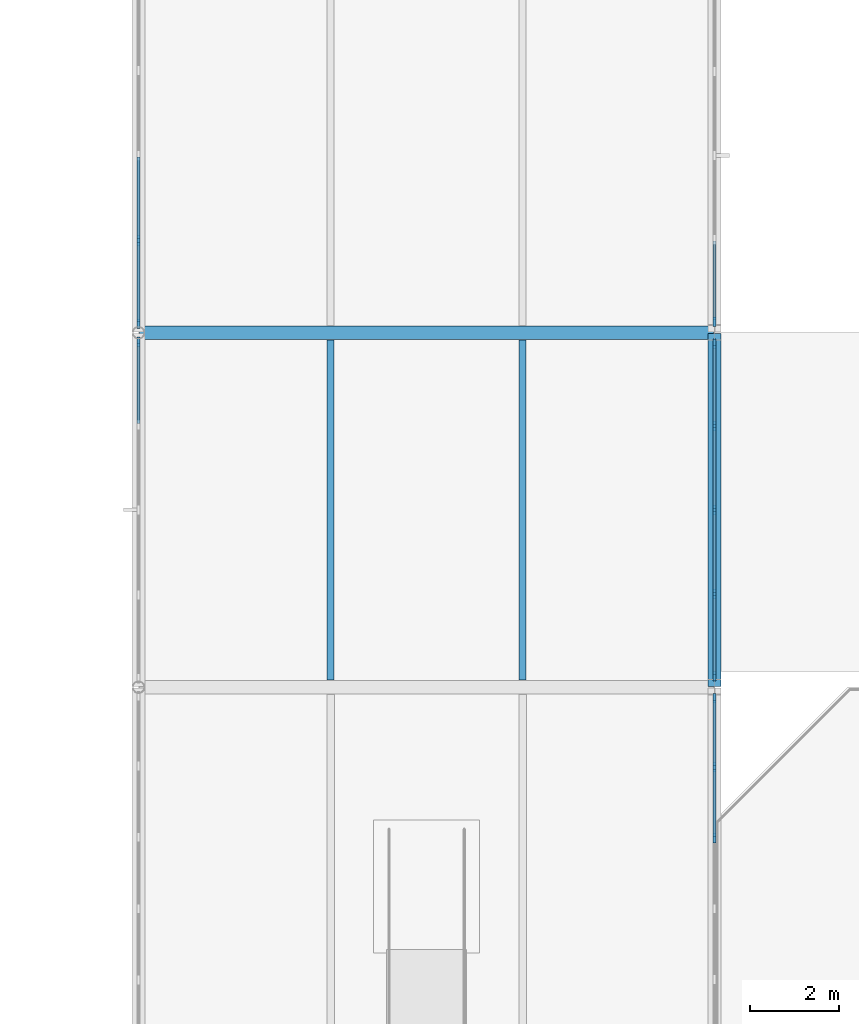
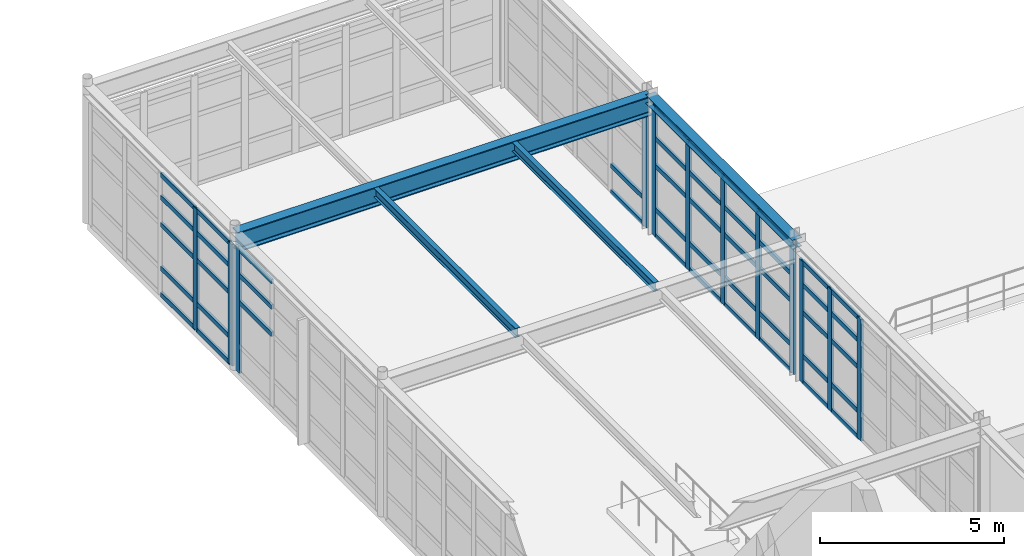
# One storey, part 51 of 139: 57 members, 4 beams, 5 elements without a shape of their own.
"""IFC4 building model written with IfcOpenShell, lengths in metres."""

from ifc_helpers import new_model, si_unit, direction, frame, origin, origin_2d, place, context, subcontext, project, spatial, rectangle, i_section, extrude, material, layer, layer_set, material_profile, profile_set, type_object, element, aggregate, save


model = new_model("IFC4")

# Units and contexts
model_context = context("Model", 3, precision=1e-05, world=origin(), true_north=direction((0.0, 1.0)))
body_context = subcontext(model_context, "Body", "Model", "MODEL_VIEW")
ifc_project = project(units=[si_unit("LENGTHUNIT", "METRE"), si_unit("AREAUNIT", "SQUARE_METRE"), si_unit("VOLUMEUNIT", "CUBIC_METRE"), si_unit("PLANEANGLEUNIT", "RADIAN"), si_unit("MASSUNIT", "GRAM", prefix="KILO"), si_unit("THERMODYNAMICTEMPERATUREUNIT", "KELVIN"), si_unit("POWERUNIT", "WATT")], contexts=[model_context])

# Site, building, storey
site_placement = place(None, origin())
site = spatial("IfcSite", under=ifc_project, at=site_placement, CompositionType="ELEMENT")
building_placement = place(site_placement, origin())
building = spatial("IfcBuilding", under=site, at=building_placement, Name="Korenveer Ferry Terminal", CompositionType="ELEMENT")
storey_placement = place(building_placement, frame((0.0, 0.0, 5.39990234375)))
storey = spatial("IfcBuildingStorey", under=building, at=storey_placement, Name="L01", CompositionType="ELEMENT", Elevation=5.39990234375)

# Curtain wall, member
ifc_material_1 = material(Name="Unitised bronze-and-glass curtain wall", Category="glass")
ifc_layer_1 = layer(ifc_material_1, 0.219970703125)
ifc_layer_set_1 = layer_set([ifc_layer_1], Name="Unitised bronze-and-glass curtain wall")
curtain_wall_type_1 = type_object("IfcCurtainWallType", Name="ENV-CW-66", PredefinedType="USERDEFINED", material=ifc_layer_set_1)
curtain_wall_1_placement = place(storey_placement, frame((40.0, 100.16650390625, 0.0)))
curtain_wall_1 = element("IfcCurtainWall", 1, at=curtain_wall_1_placement, inside=storey, type_object=curtain_wall_type_1, Name="Lancet curtain wall CWX-L01-X40-40-Y100-108", ObjectType="UNITISED CURTAIN WALL", PredefinedType="USERDEFINED")
ifc_material_2 = material(Name="Anodised bronze aluminium", Category="aluminium")
ifc_material_profile_1 = material_profile(ifc_material_2, rectangle(XDim=0.074951171875, YDim=0.219970703125, at=origin_2d()), Name="ALU 75x220")
ifc_profile_set_1 = profile_set([ifc_material_profile_1], Name="Anodised bronze aluminium")
member_type_1 = type_object("IfcMemberType", Name="ENV-CWM-75X220", PredefinedType="MULLION", material=ifc_profile_set_1)
member_1_placement = place(storey_placement, frame((40.0, 107.7958984375, 0.0), z_axis=(0.0, 0.0, 1.0), x_axis=(-1.0, 0.0, 0.0)))
member_1 = element("IfcMember", 2, at=member_1_placement, type_object=member_type_1, Name="CW-66 mullion 5", PredefinedType="MULLION", context=body_context, shape_type="SweptSolid", body=[
    extrude(rectangle(XDim=0.074951171875, YDim=0.219970703125, at=origin_2d()), origin(), (0.0, 0.0, 1.0), 4.130126953125),
])

# Curtain wall, members
ifc_layer_2 = layer(ifc_material_1, 0.219970703125)
ifc_layer_set_2 = layer_set([ifc_layer_2], Name="Unitised bronze-and-glass curtain wall")
curtain_wall_type_2 = type_object("IfcCurtainWallType", Name="ENV-CW-67", PredefinedType="USERDEFINED", material=ifc_layer_set_2)
curtain_wall_2_placement = place(storey_placement, frame((40.0, 108.16650390625, 0.0)))
curtain_wall_2 = element("IfcCurtainWall", 3, at=curtain_wall_2_placement, inside=storey, type_object=curtain_wall_type_2, Name="Lancet curtain wall CWX-L01-X40-40-Y108-116", ObjectType="UNITISED CURTAIN WALL", PredefinedType="USERDEFINED")
member_2_placement = place(storey_placement, frame((40.0, 108.2041015625, 0.0), z_axis=(0.0, 0.0, 1.0), x_axis=(-1.0, 0.0, 0.0)))
member_2 = element("IfcMember", 4, at=member_2_placement, type_object=member_type_1, Name="CW-67 mullion 1", PredefinedType="MULLION", context=body_context, shape_type="SweptSolid", body=[
    extrude(rectangle(XDim=0.074951171875, YDim=0.219970703125, at=origin_2d()), origin(), (0.0, 0.0, 1.0), 4.030029296875),
])
member_3_placement = place(storey_placement, frame((40.0, 110.083251953125, 0.0), z_axis=(0.0, 0.0, 1.0), x_axis=(-1.0, 0.0, 0.0)))
member_3 = element("IfcMember", 5, at=member_3_placement, type_object=member_type_1, Name="CW-67 mullion 2", PredefinedType="MULLION", context=body_context, shape_type="SweptSolid", body=[
    extrude(rectangle(XDim=0.074951171875, YDim=0.219970703125, at=origin_2d()), origin(), (0.0, 0.0, 1.0), 4.030029296875),
])

ifc_layer_3 = layer(ifc_material_1, 0.219970703125)
ifc_layer_set_3 = layer_set([ifc_layer_3], Name="Unitised bronze-and-glass curtain wall")
curtain_wall_type_3 = type_object("IfcCurtainWallType", Name="ENV-CW-70", PredefinedType="USERDEFINED", material=ifc_layer_set_3)
curtain_wall_3_placement = place(storey_placement, frame((53.0, 99.7900390625, 0.0)))
curtain_wall_3 = element("IfcCurtainWall", 6, at=curtain_wall_3_placement, inside=storey, type_object=curtain_wall_type_3, Name="Lancet curtain wall CWX-L01-X53-53-Y90-100", ObjectType="UNITISED CURTAIN WALL", PredefinedType="USERDEFINED")
member_4_placement = place(storey_placement, frame((53.0, 99.75244140625, 0.0), z_axis=(0.0, 0.0, 1.0), x_axis=(1.0, 0.0, 0.0)))
member_4 = element("IfcMember", 7, at=member_4_placement, type_object=member_type_1, Name="CW-70 mullion 1", PredefinedType="MULLION", context=body_context, shape_type="SweptSolid", body=[
    extrude(rectangle(XDim=0.074951171875, YDim=0.219970703125, at=origin_2d()), origin(), (0.0, 0.0, 1.0), 4.030029296875),
])
member_5_placement = place(storey_placement, frame((53.0, 98.193359375, 0.0), z_axis=(0.0, 0.0, 1.0), x_axis=(1.0, 0.0, 0.0)))
member_5 = element("IfcMember", 8, at=member_5_placement, type_object=member_type_1, Name="CW-70 mullion 2", PredefinedType="MULLION", context=body_context, shape_type="SweptSolid", body=[
    extrude(rectangle(XDim=0.074951171875, YDim=0.219970703125, at=origin_2d()), origin(), (0.0, 0.0, 1.0), 4.030029296875),
])
member_6_placement = place(storey_placement, frame((53.0, 96.5966796875, 0.0), z_axis=(0.0, 0.0, 1.0), x_axis=(1.0, 0.0, 0.0)))
member_6 = element("IfcMember", 9, at=member_6_placement, type_object=member_type_1, Name="CW-70 mullion 3", PredefinedType="MULLION", context=body_context, shape_type="SweptSolid", body=[
    extrude(rectangle(XDim=0.074951171875, YDim=0.219970703125, at=origin_2d()), origin(), (0.0, 0.0, 1.0), 4.030029296875),
])

ifc_layer_4 = layer(ifc_material_1, 0.219970703125)
ifc_layer_set_4 = layer_set([ifc_layer_4], Name="Unitised bronze-and-glass curtain wall")
curtain_wall_type_4 = type_object("IfcCurtainWallType", Name="ENV-CW-71", PredefinedType="USERDEFINED", material=ifc_layer_set_4)
curtain_wall_4_placement = place(storey_placement, frame((53.0, 107.7900390625, 0.0)))
curtain_wall_4 = element("IfcCurtainWall", 10, at=curtain_wall_4_placement, inside=storey, type_object=curtain_wall_type_4, Name="Lancet curtain wall CWX-L01-X53-53-Y100-108", ObjectType="UNITISED CURTAIN WALL", PredefinedType="USERDEFINED")
member_7_placement = place(storey_placement, frame((53.0, 107.75244140625, 0.0), z_axis=(0.0, 0.0, 1.0), x_axis=(1.0, 0.0, 0.0)))
member_7 = element("IfcMember", 11, at=member_7_placement, type_object=member_type_1, Name="CW-71 mullion 1", PredefinedType="MULLION", context=body_context, shape_type="SweptSolid", body=[
    extrude(rectangle(XDim=0.074951171875, YDim=0.219970703125, at=origin_2d()), origin(), (0.0, 0.0, 1.0), 4.22998046875),
])
member_8_placement = place(storey_placement, frame((53.0, 105.89501953125, 0.0), z_axis=(0.0, 0.0, 1.0), x_axis=(1.0, 0.0, 0.0)))
member_8 = element("IfcMember", 12, at=member_8_placement, type_object=member_type_1, Name="CW-71 mullion 2", PredefinedType="MULLION", context=body_context, shape_type="SweptSolid", body=[
    extrude(rectangle(XDim=0.074951171875, YDim=0.219970703125, at=origin_2d()), origin(), (0.0, 0.0, 1.0), 4.22998046875),
])
member_9_placement = place(storey_placement, frame((53.0, 104.0, 0.0), z_axis=(0.0, 0.0, 1.0), x_axis=(1.0, 0.0, 0.0)))
member_9 = element("IfcMember", 13, at=member_9_placement, type_object=member_type_1, Name="CW-71 mullion 3", PredefinedType="MULLION", context=body_context, shape_type="SweptSolid", body=[
    extrude(rectangle(XDim=0.074951171875, YDim=0.219970703125, at=origin_2d()), origin(), (0.0, 0.0, 1.0), 4.22998046875),
])
member_10_placement = place(storey_placement, frame((53.0, 102.10498046875, 0.0), z_axis=(0.0, 0.0, 1.0), x_axis=(1.0, 0.0, 0.0)))
member_10 = element("IfcMember", 14, at=member_10_placement, type_object=member_type_1, Name="CW-71 mullion 4", PredefinedType="MULLION", context=body_context, shape_type="SweptSolid", body=[
    extrude(rectangle(XDim=0.074951171875, YDim=0.219970703125, at=origin_2d()), origin(), (0.0, 0.0, 1.0), 4.22998046875),
])
member_11_placement = place(storey_placement, frame((53.0, 100.24755859375, 0.0), z_axis=(0.0, 0.0, 1.0), x_axis=(1.0, 0.0, 0.0)))
member_11 = element("IfcMember", 15, at=member_11_placement, type_object=member_type_1, Name="CW-71 mullion 5", PredefinedType="MULLION", context=body_context, shape_type="SweptSolid", body=[
    extrude(rectangle(XDim=0.074951171875, YDim=0.219970703125, at=origin_2d()), origin(), (0.0, 0.0, 1.0), 4.22998046875),
])

# Curtain wall, member
ifc_layer_5 = layer(ifc_material_1, 0.219970703125)
ifc_layer_set_5 = layer_set([ifc_layer_5], Name="Unitised bronze-and-glass curtain wall")
curtain_wall_type_5 = type_object("IfcCurtainWallType", Name="ENV-CW-72", PredefinedType="USERDEFINED", material=ifc_layer_set_5)
curtain_wall_5_placement = place(storey_placement, frame((53.0, 115.7900390625, 0.0)))
curtain_wall_5 = element("IfcCurtainWall", 16, at=curtain_wall_5_placement, inside=storey, type_object=curtain_wall_type_5, Name="Lancet curtain wall CWX-L01-X53-53-Y108-116", ObjectType="UNITISED CURTAIN WALL", PredefinedType="USERDEFINED")
member_12_placement = place(storey_placement, frame((53.0, 108.24755859375, 0.0), z_axis=(0.0, 0.0, 1.0), x_axis=(1.0, 0.0, 0.0)))
member_12 = element("IfcMember", 17, at=member_12_placement, type_object=member_type_1, Name="CW-72 mullion 5", PredefinedType="MULLION", context=body_context, shape_type="SweptSolid", body=[
    extrude(rectangle(XDim=0.074951171875, YDim=0.219970703125, at=origin_2d()), origin(), (0.0, 0.0, 1.0), 4.130126953125),
])

# Member
ifc_material_profile_2 = material_profile(ifc_material_2, rectangle(XDim=0.074951171875, YDim=0.14990234375, at=origin_2d()), Name="ALU 75x150")
ifc_profile_set_2 = profile_set([ifc_material_profile_2], Name="Anodised bronze aluminium")
member_type_2 = type_object("IfcMemberType", Name="ENV-CWT-75X150", PredefinedType="USERDEFINED", material=ifc_profile_set_2)
member_13_placement = place(storey_placement, frame((40.0, 105.954345703125, 2.35009765625), z_axis=(0.0, 1.0, 0.0), x_axis=(-1.0, 0.0, 0.0)))
member_13 = element("IfcMember", 18, at=member_13_placement, type_object=member_type_2, Name="CW-66 transom 4.3", ObjectType="TRANSOM", PredefinedType="USERDEFINED", context=body_context, shape_type="SweptSolid", body=[
    extrude(rectangle(XDim=0.074951171875, YDim=0.14990234375, at=origin_2d()), origin(), (0.0, 0.0, 1.0), 1.80419921875),
])

member_14_placement = place(storey_placement, frame((40.0, 105.954345703125, 3.25), z_axis=(0.0, 1.0, 0.0), x_axis=(-1.0, 0.0, 0.0)))
member_14 = element("IfcMember", 19, at=member_14_placement, type_object=member_type_2, Name="CW-66 transom 4.4", ObjectType="TRANSOM", PredefinedType="USERDEFINED", context=body_context, shape_type="SweptSolid", body=[
    extrude(rectangle(XDim=0.074951171875, YDim=0.14990234375, at=origin_2d()), origin(), (0.0, 0.0, 1.0), 1.80419921875),
])

member_15_placement = place(storey_placement, frame((40.0, 105.954345703125, 4.092529296875), z_axis=(0.0, 1.0, 0.0), x_axis=(-1.0, 0.0, 0.0)))
member_15 = element("IfcMember", 20, at=member_15_placement, type_object=member_type_2, Name="CW-66 transom 4.5", ObjectType="TRANSOM", PredefinedType="USERDEFINED", context=body_context, shape_type="SweptSolid", body=[
    extrude(rectangle(XDim=0.074951171875, YDim=0.14990234375, at=origin_2d()), origin(), (0.0, 0.0, 1.0), 1.80419921875),
])

aggregate(curtain_wall_1, [member_1, member_13, member_14, member_15])

member_16_placement = place(storey_placement, frame((40.0, 108.241455078125, 0.03759765625), z_axis=(0.0, 1.0, 0.0), x_axis=(-1.0, 0.0, 0.0)))
member_16 = element("IfcMember", 21, at=member_16_placement, type_object=member_type_2, Name="CW-67 transom 1.1", ObjectType="TRANSOM", PredefinedType="USERDEFINED", context=body_context, shape_type="SweptSolid", body=[
    extrude(rectangle(XDim=0.074951171875, YDim=0.14990234375, at=origin_2d()), origin(), (0.0, 0.0, 1.0), 1.80419921875),
])

member_17_placement = place(storey_placement, frame((40.0, 108.241455078125, 0.900146484375), z_axis=(0.0, 1.0, 0.0), x_axis=(-1.0, 0.0, 0.0)))
member_17 = element("IfcMember", 22, at=member_17_placement, type_object=member_type_2, Name="CW-67 transom 1.2", ObjectType="TRANSOM", PredefinedType="USERDEFINED", context=body_context, shape_type="SweptSolid", body=[
    extrude(rectangle(XDim=0.074951171875, YDim=0.14990234375, at=origin_2d()), origin(), (0.0, 0.0, 1.0), 1.80419921875),
])

member_18_placement = place(storey_placement, frame((40.0, 108.241455078125, 2.35009765625), z_axis=(0.0, 1.0, 0.0), x_axis=(-1.0, 0.0, 0.0)))
member_18 = element("IfcMember", 23, at=member_18_placement, type_object=member_type_2, Name="CW-67 transom 1.3", ObjectType="TRANSOM", PredefinedType="USERDEFINED", context=body_context, shape_type="SweptSolid", body=[
    extrude(rectangle(XDim=0.074951171875, YDim=0.14990234375, at=origin_2d()), origin(), (0.0, 0.0, 1.0), 1.80419921875),
])

member_19_placement = place(storey_placement, frame((40.0, 108.241455078125, 3.25), z_axis=(0.0, 1.0, 0.0), x_axis=(-1.0, 0.0, 0.0)))
member_19 = element("IfcMember", 24, at=member_19_placement, type_object=member_type_2, Name="CW-67 transom 1.4", ObjectType="TRANSOM", PredefinedType="USERDEFINED", context=body_context, shape_type="SweptSolid", body=[
    extrude(rectangle(XDim=0.074951171875, YDim=0.14990234375, at=origin_2d()), origin(), (0.0, 0.0, 1.0), 1.80419921875),
])

member_20_placement = place(storey_placement, frame((40.0, 108.241455078125, 3.99267578125), z_axis=(0.0, 1.0, 0.0), x_axis=(-1.0, 0.0, 0.0)))
member_20 = element("IfcMember", 25, at=member_20_placement, type_object=member_type_2, Name="CW-67 transom 1.5", ObjectType="TRANSOM", PredefinedType="USERDEFINED", context=body_context, shape_type="SweptSolid", body=[
    extrude(rectangle(XDim=0.074951171875, YDim=0.14990234375, at=origin_2d()), origin(), (0.0, 0.0, 1.0), 1.80419921875),
])

member_21_placement = place(storey_placement, frame((40.0, 110.120849609375, 0.03759765625), z_axis=(0.0, 1.0, 0.0), x_axis=(-1.0, 0.0, 0.0)))
member_21 = element("IfcMember", 26, at=member_21_placement, type_object=member_type_2, Name="CW-67 transom 2.1", ObjectType="TRANSOM", PredefinedType="USERDEFINED", context=body_context, shape_type="SweptSolid", body=[
    extrude(rectangle(XDim=0.074951171875, YDim=0.14990234375, at=origin_2d()), origin(), (0.0, 0.0, 1.0), 1.841552734375),
])

member_22_placement = place(storey_placement, frame((40.0, 110.120849609375, 0.900146484375), z_axis=(0.0, 1.0, 0.0), x_axis=(-1.0, 0.0, 0.0)))
member_22 = element("IfcMember", 27, at=member_22_placement, type_object=member_type_2, Name="CW-67 transom 2.2", ObjectType="TRANSOM", PredefinedType="USERDEFINED", context=body_context, shape_type="SweptSolid", body=[
    extrude(rectangle(XDim=0.074951171875, YDim=0.14990234375, at=origin_2d()), origin(), (0.0, 0.0, 1.0), 1.841552734375),
])

member_23_placement = place(storey_placement, frame((40.0, 110.120849609375, 2.35009765625), z_axis=(0.0, 1.0, 0.0), x_axis=(-1.0, 0.0, 0.0)))
member_23 = element("IfcMember", 28, at=member_23_placement, type_object=member_type_2, Name="CW-67 transom 2.3", ObjectType="TRANSOM", PredefinedType="USERDEFINED", context=body_context, shape_type="SweptSolid", body=[
    extrude(rectangle(XDim=0.074951171875, YDim=0.14990234375, at=origin_2d()), origin(), (0.0, 0.0, 1.0), 1.841552734375),
])

member_24_placement = place(storey_placement, frame((40.0, 110.120849609375, 3.25), z_axis=(0.0, 1.0, 0.0), x_axis=(-1.0, 0.0, 0.0)))
member_24 = element("IfcMember", 29, at=member_24_placement, type_object=member_type_2, Name="CW-67 transom 2.4", ObjectType="TRANSOM", PredefinedType="USERDEFINED", context=body_context, shape_type="SweptSolid", body=[
    extrude(rectangle(XDim=0.074951171875, YDim=0.14990234375, at=origin_2d()), origin(), (0.0, 0.0, 1.0), 1.841552734375),
])

member_25_placement = place(storey_placement, frame((40.0, 110.120849609375, 3.99267578125), z_axis=(0.0, 1.0, 0.0), x_axis=(-1.0, 0.0, 0.0)))
member_25 = element("IfcMember", 30, at=member_25_placement, type_object=member_type_2, Name="CW-67 transom 2.5", ObjectType="TRANSOM", PredefinedType="USERDEFINED", context=body_context, shape_type="SweptSolid", body=[
    extrude(rectangle(XDim=0.074951171875, YDim=0.14990234375, at=origin_2d()), origin(), (0.0, 0.0, 1.0), 1.841552734375),
])

aggregate(curtain_wall_2, [member_2, member_3, member_16, member_17, member_18, member_19, member_20, member_21, member_22, member_23, member_24, member_25])

member_26_placement = place(storey_placement, frame((53.0, 99.715087890625, 0.03759765625), z_axis=(0.0, -1.0, 0.0), x_axis=(1.0, 0.0, 0.0)))
member_26 = element("IfcMember", 31, at=member_26_placement, type_object=member_type_2, Name="CW-70 transom 1.1", ObjectType="TRANSOM", PredefinedType="USERDEFINED", context=body_context, shape_type="SweptSolid", body=[
    extrude(rectangle(XDim=0.074951171875, YDim=0.14990234375, at=origin_2d()), origin(), (0.0, 0.0, 1.0), 1.484375),
])

member_27_placement = place(storey_placement, frame((53.0, 99.715087890625, 0.900146484375), z_axis=(0.0, -1.0, 0.0), x_axis=(1.0, 0.0, 0.0)))
member_27 = element("IfcMember", 32, at=member_27_placement, type_object=member_type_2, Name="CW-70 transom 1.2", ObjectType="TRANSOM", PredefinedType="USERDEFINED", context=body_context, shape_type="SweptSolid", body=[
    extrude(rectangle(XDim=0.074951171875, YDim=0.14990234375, at=origin_2d()), origin(), (0.0, 0.0, 1.0), 1.484375),
])

member_28_placement = place(storey_placement, frame((53.0, 99.715087890625, 2.35009765625), z_axis=(0.0, -1.0, 0.0), x_axis=(1.0, 0.0, 0.0)))
member_28 = element("IfcMember", 33, at=member_28_placement, type_object=member_type_2, Name="CW-70 transom 1.3", ObjectType="TRANSOM", PredefinedType="USERDEFINED", context=body_context, shape_type="SweptSolid", body=[
    extrude(rectangle(XDim=0.074951171875, YDim=0.14990234375, at=origin_2d()), origin(), (0.0, 0.0, 1.0), 1.484375),
])

member_29_placement = place(storey_placement, frame((53.0, 99.715087890625, 3.25), z_axis=(0.0, -1.0, 0.0), x_axis=(1.0, 0.0, 0.0)))
member_29 = element("IfcMember", 34, at=member_29_placement, type_object=member_type_2, Name="CW-70 transom 1.4", ObjectType="TRANSOM", PredefinedType="USERDEFINED", context=body_context, shape_type="SweptSolid", body=[
    extrude(rectangle(XDim=0.074951171875, YDim=0.14990234375, at=origin_2d()), origin(), (0.0, 0.0, 1.0), 1.484375),
])

member_30_placement = place(storey_placement, frame((53.0, 99.715087890625, 3.99267578125), z_axis=(0.0, -1.0, 0.0), x_axis=(1.0, 0.0, 0.0)))
member_30 = element("IfcMember", 35, at=member_30_placement, type_object=member_type_2, Name="CW-70 transom 1.5", ObjectType="TRANSOM", PredefinedType="USERDEFINED", context=body_context, shape_type="SweptSolid", body=[
    extrude(rectangle(XDim=0.074951171875, YDim=0.14990234375, at=origin_2d()), origin(), (0.0, 0.0, 1.0), 1.484375),
])

member_31_placement = place(storey_placement, frame((53.0, 98.15576171875, 0.03759765625), z_axis=(0.0, -1.0, 0.0), x_axis=(1.0, 0.0, 0.0)))
member_31 = element("IfcMember", 36, at=member_31_placement, type_object=member_type_2, Name="CW-70 transom 2.1", ObjectType="TRANSOM", PredefinedType="USERDEFINED", context=body_context, shape_type="SweptSolid", body=[
    extrude(rectangle(XDim=0.074951171875, YDim=0.14990234375, at=origin_2d()), origin(), (0.0, 0.0, 1.0), 1.521484375),
])

member_32_placement = place(storey_placement, frame((53.0, 98.15576171875, 0.900146484375), z_axis=(0.0, -1.0, 0.0), x_axis=(1.0, 0.0, 0.0)))
member_32 = element("IfcMember", 37, at=member_32_placement, type_object=member_type_2, Name="CW-70 transom 2.2", ObjectType="TRANSOM", PredefinedType="USERDEFINED", context=body_context, shape_type="SweptSolid", body=[
    extrude(rectangle(XDim=0.074951171875, YDim=0.14990234375, at=origin_2d()), origin(), (0.0, 0.0, 1.0), 1.521484375),
])

member_33_placement = place(storey_placement, frame((53.0, 98.15576171875, 2.35009765625), z_axis=(0.0, -1.0, 0.0), x_axis=(1.0, 0.0, 0.0)))
member_33 = element("IfcMember", 38, at=member_33_placement, type_object=member_type_2, Name="CW-70 transom 2.3", ObjectType="TRANSOM", PredefinedType="USERDEFINED", context=body_context, shape_type="SweptSolid", body=[
    extrude(rectangle(XDim=0.074951171875, YDim=0.14990234375, at=origin_2d()), origin(), (0.0, 0.0, 1.0), 1.521484375),
])

member_34_placement = place(storey_placement, frame((53.0, 98.15576171875, 3.25), z_axis=(0.0, -1.0, 0.0), x_axis=(1.0, 0.0, 0.0)))
member_34 = element("IfcMember", 39, at=member_34_placement, type_object=member_type_2, Name="CW-70 transom 2.4", ObjectType="TRANSOM", PredefinedType="USERDEFINED", context=body_context, shape_type="SweptSolid", body=[
    extrude(rectangle(XDim=0.074951171875, YDim=0.14990234375, at=origin_2d()), origin(), (0.0, 0.0, 1.0), 1.521484375),
])

member_35_placement = place(storey_placement, frame((53.0, 98.15576171875, 3.99267578125), z_axis=(0.0, -1.0, 0.0), x_axis=(1.0, 0.0, 0.0)))
member_35 = element("IfcMember", 40, at=member_35_placement, type_object=member_type_2, Name="CW-70 transom 2.5", ObjectType="TRANSOM", PredefinedType="USERDEFINED", context=body_context, shape_type="SweptSolid", body=[
    extrude(rectangle(XDim=0.074951171875, YDim=0.14990234375, at=origin_2d()), origin(), (0.0, 0.0, 1.0), 1.521484375),
])

aggregate(curtain_wall_3, [member_4, member_5, member_6, member_26, member_27, member_28, member_29, member_30, member_31, member_32, member_33, member_34, member_35])

member_36_placement = place(storey_placement, frame((53.0, 107.715087890625, 0.03759765625), z_axis=(0.0, -1.0, 0.0), x_axis=(1.0, 0.0, 0.0)))
member_36 = element("IfcMember", 41, at=member_36_placement, type_object=member_type_2, Name="CW-71 transom 1.1", ObjectType="TRANSOM", PredefinedType="USERDEFINED", context=body_context, shape_type="SweptSolid", body=[
    extrude(rectangle(XDim=0.074951171875, YDim=0.14990234375, at=origin_2d()), origin(), (0.0, 0.0, 1.0), 1.782470703125),
])

member_37_placement = place(storey_placement, frame((53.0, 107.715087890625, 0.900146484375), z_axis=(0.0, -1.0, 0.0), x_axis=(1.0, 0.0, 0.0)))
member_37 = element("IfcMember", 42, at=member_37_placement, type_object=member_type_2, Name="CW-71 transom 1.2", ObjectType="TRANSOM", PredefinedType="USERDEFINED", context=body_context, shape_type="SweptSolid", body=[
    extrude(rectangle(XDim=0.074951171875, YDim=0.14990234375, at=origin_2d()), origin(), (0.0, 0.0, 1.0), 1.782470703125),
])

member_38_placement = place(storey_placement, frame((53.0, 107.715087890625, 2.35009765625), z_axis=(0.0, -1.0, 0.0), x_axis=(1.0, 0.0, 0.0)))
member_38 = element("IfcMember", 43, at=member_38_placement, type_object=member_type_2, Name="CW-71 transom 1.3", ObjectType="TRANSOM", PredefinedType="USERDEFINED", context=body_context, shape_type="SweptSolid", body=[
    extrude(rectangle(XDim=0.074951171875, YDim=0.14990234375, at=origin_2d()), origin(), (0.0, 0.0, 1.0), 1.782470703125),
])

member_39_placement = place(storey_placement, frame((53.0, 107.715087890625, 3.25), z_axis=(0.0, -1.0, 0.0), x_axis=(1.0, 0.0, 0.0)))
member_39 = element("IfcMember", 44, at=member_39_placement, type_object=member_type_2, Name="CW-71 transom 1.4", ObjectType="TRANSOM", PredefinedType="USERDEFINED", context=body_context, shape_type="SweptSolid", body=[
    extrude(rectangle(XDim=0.074951171875, YDim=0.14990234375, at=origin_2d()), origin(), (0.0, 0.0, 1.0), 1.782470703125),
])

member_40_placement = place(storey_placement, frame((53.0, 107.715087890625, 4.192626953125), z_axis=(0.0, -1.0, 0.0), x_axis=(1.0, 0.0, 0.0)))
member_40 = element("IfcMember", 45, at=member_40_placement, type_object=member_type_2, Name="CW-71 transom 1.5", ObjectType="TRANSOM", PredefinedType="USERDEFINED", context=body_context, shape_type="SweptSolid", body=[
    extrude(rectangle(XDim=0.074951171875, YDim=0.14990234375, at=origin_2d()), origin(), (0.0, 0.0, 1.0), 1.782470703125),
])

member_41_placement = place(storey_placement, frame((53.0, 105.857421875, 0.03759765625), z_axis=(0.0, -1.0, 0.0), x_axis=(1.0, 0.0, 0.0)))
member_41 = element("IfcMember", 46, at=member_41_placement, type_object=member_type_2, Name="CW-71 transom 2.1", ObjectType="TRANSOM", PredefinedType="USERDEFINED", context=body_context, shape_type="SweptSolid", body=[
    extrude(rectangle(XDim=0.074951171875, YDim=0.14990234375, at=origin_2d()), origin(), (0.0, 0.0, 1.0), 1.81982421875),
])

member_42_placement = place(storey_placement, frame((53.0, 105.857421875, 0.900146484375), z_axis=(0.0, -1.0, 0.0), x_axis=(1.0, 0.0, 0.0)))
member_42 = element("IfcMember", 47, at=member_42_placement, type_object=member_type_2, Name="CW-71 transom 2.2", ObjectType="TRANSOM", PredefinedType="USERDEFINED", context=body_context, shape_type="SweptSolid", body=[
    extrude(rectangle(XDim=0.074951171875, YDim=0.14990234375, at=origin_2d()), origin(), (0.0, 0.0, 1.0), 1.81982421875),
])

member_43_placement = place(storey_placement, frame((53.0, 105.857421875, 2.35009765625), z_axis=(0.0, -1.0, 0.0), x_axis=(1.0, 0.0, 0.0)))
member_43 = element("IfcMember", 48, at=member_43_placement, type_object=member_type_2, Name="CW-71 transom 2.3", ObjectType="TRANSOM", PredefinedType="USERDEFINED", context=body_context, shape_type="SweptSolid", body=[
    extrude(rectangle(XDim=0.074951171875, YDim=0.14990234375, at=origin_2d()), origin(), (0.0, 0.0, 1.0), 1.81982421875),
])

member_44_placement = place(storey_placement, frame((53.0, 105.857421875, 3.25), z_axis=(0.0, -1.0, 0.0), x_axis=(1.0, 0.0, 0.0)))
member_44 = element("IfcMember", 49, at=member_44_placement, type_object=member_type_2, Name="CW-71 transom 2.4", ObjectType="TRANSOM", PredefinedType="USERDEFINED", context=body_context, shape_type="SweptSolid", body=[
    extrude(rectangle(XDim=0.074951171875, YDim=0.14990234375, at=origin_2d()), origin(), (0.0, 0.0, 1.0), 1.81982421875),
])

member_45_placement = place(storey_placement, frame((53.0, 105.857421875, 4.192626953125), z_axis=(0.0, -1.0, 0.0), x_axis=(1.0, 0.0, 0.0)))
member_45 = element("IfcMember", 50, at=member_45_placement, type_object=member_type_2, Name="CW-71 transom 2.5", ObjectType="TRANSOM", PredefinedType="USERDEFINED", context=body_context, shape_type="SweptSolid", body=[
    extrude(rectangle(XDim=0.074951171875, YDim=0.14990234375, at=origin_2d()), origin(), (0.0, 0.0, 1.0), 1.81982421875),
])

member_46_placement = place(storey_placement, frame((53.0, 103.96240234375, 0.03759765625), z_axis=(0.0, -1.0, 0.0), x_axis=(1.0, 0.0, 0.0)))
member_46 = element("IfcMember", 51, at=member_46_placement, type_object=member_type_2, Name="CW-71 transom 3.1", ObjectType="TRANSOM", PredefinedType="USERDEFINED", context=body_context, shape_type="SweptSolid", body=[
    extrude(rectangle(XDim=0.074951171875, YDim=0.14990234375, at=origin_2d()), origin(), (0.0, 0.0, 1.0), 1.81982421875),
])

member_47_placement = place(storey_placement, frame((53.0, 103.96240234375, 0.900146484375), z_axis=(0.0, -1.0, 0.0), x_axis=(1.0, 0.0, 0.0)))
member_47 = element("IfcMember", 52, at=member_47_placement, type_object=member_type_2, Name="CW-71 transom 3.2", ObjectType="TRANSOM", PredefinedType="USERDEFINED", context=body_context, shape_type="SweptSolid", body=[
    extrude(rectangle(XDim=0.074951171875, YDim=0.14990234375, at=origin_2d()), origin(), (0.0, 0.0, 1.0), 1.81982421875),
])

member_48_placement = place(storey_placement, frame((53.0, 103.96240234375, 2.35009765625), z_axis=(0.0, -1.0, 0.0), x_axis=(1.0, 0.0, 0.0)))
member_48 = element("IfcMember", 53, at=member_48_placement, type_object=member_type_2, Name="CW-71 transom 3.3", ObjectType="TRANSOM", PredefinedType="USERDEFINED", context=body_context, shape_type="SweptSolid", body=[
    extrude(rectangle(XDim=0.074951171875, YDim=0.14990234375, at=origin_2d()), origin(), (0.0, 0.0, 1.0), 1.81982421875),
])

member_49_placement = place(storey_placement, frame((53.0, 103.96240234375, 3.25), z_axis=(0.0, -1.0, 0.0), x_axis=(1.0, 0.0, 0.0)))
member_49 = element("IfcMember", 54, at=member_49_placement, type_object=member_type_2, Name="CW-71 transom 3.4", ObjectType="TRANSOM", PredefinedType="USERDEFINED", context=body_context, shape_type="SweptSolid", body=[
    extrude(rectangle(XDim=0.074951171875, YDim=0.14990234375, at=origin_2d()), origin(), (0.0, 0.0, 1.0), 1.81982421875),
])

member_50_placement = place(storey_placement, frame((53.0, 103.96240234375, 4.192626953125), z_axis=(0.0, -1.0, 0.0), x_axis=(1.0, 0.0, 0.0)))
member_50 = element("IfcMember", 55, at=member_50_placement, type_object=member_type_2, Name="CW-71 transom 3.5", ObjectType="TRANSOM", PredefinedType="USERDEFINED", context=body_context, shape_type="SweptSolid", body=[
    extrude(rectangle(XDim=0.074951171875, YDim=0.14990234375, at=origin_2d()), origin(), (0.0, 0.0, 1.0), 1.81982421875),
])

member_51_placement = place(storey_placement, frame((53.0, 102.0673828125, 0.03759765625), z_axis=(0.0, -1.0, 0.0), x_axis=(1.0, 0.0, 0.0)))
member_51 = element("IfcMember", 56, at=member_51_placement, type_object=member_type_2, Name="CW-71 transom 4.1", ObjectType="TRANSOM", PredefinedType="USERDEFINED", context=body_context, shape_type="SweptSolid", body=[
    extrude(rectangle(XDim=0.074951171875, YDim=0.14990234375, at=origin_2d()), origin(), (0.0, 0.0, 1.0), 1.782470703125),
])

member_52_placement = place(storey_placement, frame((53.0, 102.0673828125, 0.900146484375), z_axis=(0.0, -1.0, 0.0), x_axis=(1.0, 0.0, 0.0)))
member_52 = element("IfcMember", 57, at=member_52_placement, type_object=member_type_2, Name="CW-71 transom 4.2", ObjectType="TRANSOM", PredefinedType="USERDEFINED", context=body_context, shape_type="SweptSolid", body=[
    extrude(rectangle(XDim=0.074951171875, YDim=0.14990234375, at=origin_2d()), origin(), (0.0, 0.0, 1.0), 1.782470703125),
])

member_53_placement = place(storey_placement, frame((53.0, 102.0673828125, 2.35009765625), z_axis=(0.0, -1.0, 0.0), x_axis=(1.0, 0.0, 0.0)))
member_53 = element("IfcMember", 58, at=member_53_placement, type_object=member_type_2, Name="CW-71 transom 4.3", ObjectType="TRANSOM", PredefinedType="USERDEFINED", context=body_context, shape_type="SweptSolid", body=[
    extrude(rectangle(XDim=0.074951171875, YDim=0.14990234375, at=origin_2d()), origin(), (0.0, 0.0, 1.0), 1.782470703125),
])

member_54_placement = place(storey_placement, frame((53.0, 102.0673828125, 3.25), z_axis=(0.0, -1.0, 0.0), x_axis=(1.0, 0.0, 0.0)))
member_54 = element("IfcMember", 59, at=member_54_placement, type_object=member_type_2, Name="CW-71 transom 4.4", ObjectType="TRANSOM", PredefinedType="USERDEFINED", context=body_context, shape_type="SweptSolid", body=[
    extrude(rectangle(XDim=0.074951171875, YDim=0.14990234375, at=origin_2d()), origin(), (0.0, 0.0, 1.0), 1.782470703125),
])

member_55_placement = place(storey_placement, frame((53.0, 102.0673828125, 4.192626953125), z_axis=(0.0, -1.0, 0.0), x_axis=(1.0, 0.0, 0.0)))
member_55 = element("IfcMember", 60, at=member_55_placement, type_object=member_type_2, Name="CW-71 transom 4.5", ObjectType="TRANSOM", PredefinedType="USERDEFINED", context=body_context, shape_type="SweptSolid", body=[
    extrude(rectangle(XDim=0.074951171875, YDim=0.14990234375, at=origin_2d()), origin(), (0.0, 0.0, 1.0), 1.782470703125),
])

aggregate(curtain_wall_4, [member_7, member_8, member_9, member_10, member_11, member_36, member_37, member_38, member_39, member_40, member_41, member_42, member_43, member_44, member_45, member_46, member_47, member_48, member_49, member_50, member_51, member_52, member_53, member_54, member_55])

member_56_placement = place(storey_placement, frame((53.0, 110.0673828125, 0.03759765625), z_axis=(0.0, -1.0, 0.0), x_axis=(1.0, 0.0, 0.0)))
member_56 = element("IfcMember", 61, at=member_56_placement, type_object=member_type_2, Name="CW-72 transom 4.1", ObjectType="TRANSOM", PredefinedType="USERDEFINED", context=body_context, shape_type="SweptSolid", body=[
    extrude(rectangle(XDim=0.074951171875, YDim=0.14990234375, at=origin_2d()), origin(), (0.0, 0.0, 1.0), 1.782470703125),
])

member_57_placement = place(storey_placement, frame((53.0, 110.0673828125, 0.900146484375), z_axis=(0.0, -1.0, 0.0), x_axis=(1.0, 0.0, 0.0)))
member_57 = element("IfcMember", 62, at=member_57_placement, type_object=member_type_2, Name="CW-72 transom 4.2", ObjectType="TRANSOM", PredefinedType="USERDEFINED", context=body_context, shape_type="SweptSolid", body=[
    extrude(rectangle(XDim=0.074951171875, YDim=0.14990234375, at=origin_2d()), origin(), (0.0, 0.0, 1.0), 1.782470703125),
])

aggregate(curtain_wall_5, [member_12, member_56, member_57])

# Beams
ifc_material_3 = material(Name="Steel S355", Category="steel")
ifc_material_profile_3 = material_profile(ifc_material_3, i_section(OverallWidth=0.300048828125, OverallDepth=0.2900390625, WebThickness=0.008544921875, FlangeThickness=0.013916015625, FilletRadius=0.027099609375, at=origin_2d()), Name="HEA 300")
ifc_profile_set_3 = profile_set([ifc_material_profile_3], Name="Steel S355")
beam_type_1 = type_object("IfcBeamType", Name="STR-BM-HEA300", PredefinedType="BEAM", material=ifc_profile_set_3)
beam_1_placement = place(storey_placement, frame((53.0, 100.02001953125, 4.405029296875), z_axis=(0.0, 1.0, 0.0), x_axis=(-1.0, 0.0, 0.0)))
element("IfcBeam", 63, at=beam_1_placement, inside=storey, type_object=beam_type_1, Name="Primary Y girder BMY-L02-X53-Y100-108", PredefinedType="BEAM", context=body_context, shape_type="SweptSolid", body=[
    extrude(i_section(OverallWidth=0.300048828125, OverallDepth=0.2900390625, WebThickness=0.008544921875, FlangeThickness=0.013916015625, FilletRadius=0.027099609375, at=origin_2d()), origin(), (0.0, 0.0, 1.0), 7.9599609375),
])
ifc_material_profile_4 = material_profile(ifc_material_3, i_section(OverallWidth=0.300048828125, OverallDepth=0.64990234375, WebThickness=0.01611328125, FlangeThickness=0.031005859375, FilletRadius=0.027099609375, at=origin_2d()), Name="HEB 650")
ifc_profile_set_4 = profile_set([ifc_material_profile_4], Name="Steel S355")
beam_type_2 = type_object("IfcBeamType", Name="STR-BM-HEB650", PredefinedType="BEAM", material=ifc_profile_set_4)
beam_2_placement = place(storey_placement, frame((40.02001953125, 108.0, 4.22509765625), z_axis=(1.0, 0.0, 0.0), x_axis=(0.0, 1.0, 0.0)))
element("IfcBeam", 64, at=beam_2_placement, inside=storey, type_object=beam_type_2, Name="Primary X girder BMX-L02-X40-53-Y108", PredefinedType="BEAM", context=body_context, shape_type="SweptSolid", body=[
    extrude(i_section(OverallWidth=0.300048828125, OverallDepth=0.64990234375, WebThickness=0.01611328125, FlangeThickness=0.031005859375, FilletRadius=0.027099609375, at=origin_2d()), origin(), (0.0, 0.0, 1.0), 12.9599609375),
])
ifc_material_profile_5 = material_profile(ifc_material_3, i_section(OverallWidth=0.14990234375, OverallDepth=0.300048828125, WebThickness=0.007080078125, FlangeThickness=0.0107421875, FilletRadius=0.014892578125, at=origin_2d()), Name="IPE 300")
ifc_profile_set_5 = profile_set([ifc_material_profile_5], Name="Steel S355")
beam_type_3 = type_object("IfcBeamType", Name="STR-JST-IPE300", PredefinedType="JOIST", material=ifc_profile_set_5)
for number, where, z_axis, x_axis, name in (
    (65, (44.333251953125, 100.159912109375, 4.400146484375), (0.0, 1.0, 0.0), (-1.0, 0.0, 0.0), "Secondary composite joist JST-L02-X443-Y100-108"),
    (66, (48.666748046875, 100.159912109375, 4.400146484375), (0.0, 1.0, 0.0), (-1.0, 0.0, 0.0), "Secondary composite joist JST-L02-X487-Y100-108"),
):
    element("IfcBeam", number, at=place(storey_placement, frame(where, z_axis=z_axis, x_axis=x_axis)), inside=storey, type_object=beam_type_3, Name=name, PredefinedType="JOIST", context=body_context, shape_type="SweptSolid", body=[
        extrude(i_section(OverallWidth=0.14990234375, OverallDepth=0.300048828125, WebThickness=0.007080078125, FlangeThickness=0.0107421875, FilletRadius=0.014892578125, at=origin_2d()), origin(), (0.0, 0.0, 1.0), 7.68017578125),
    ])

save(model, "model.ifc")
